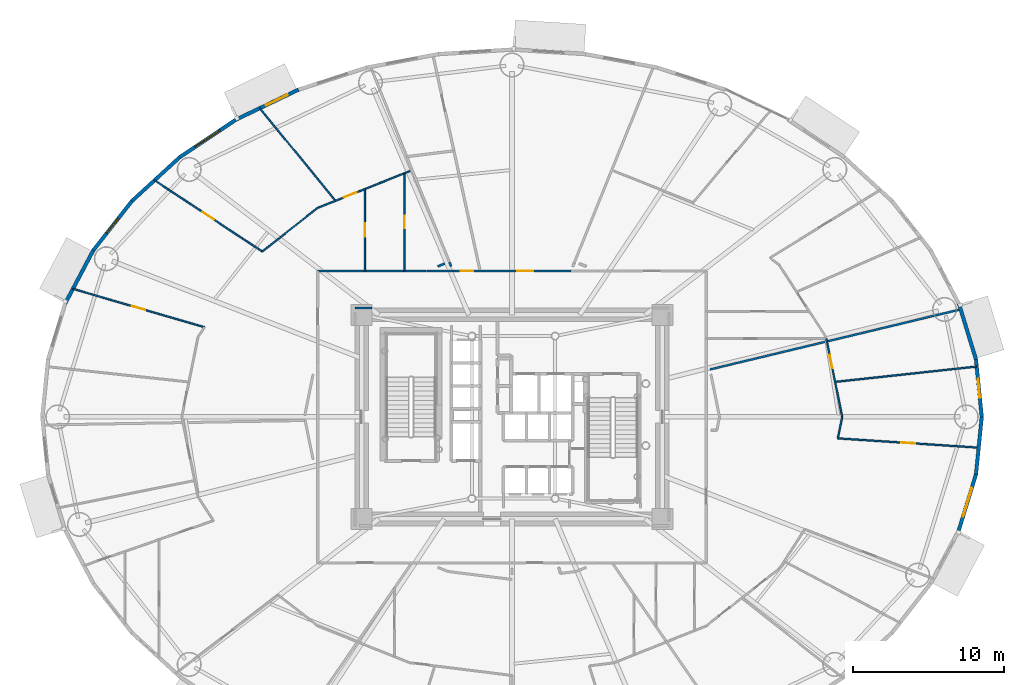
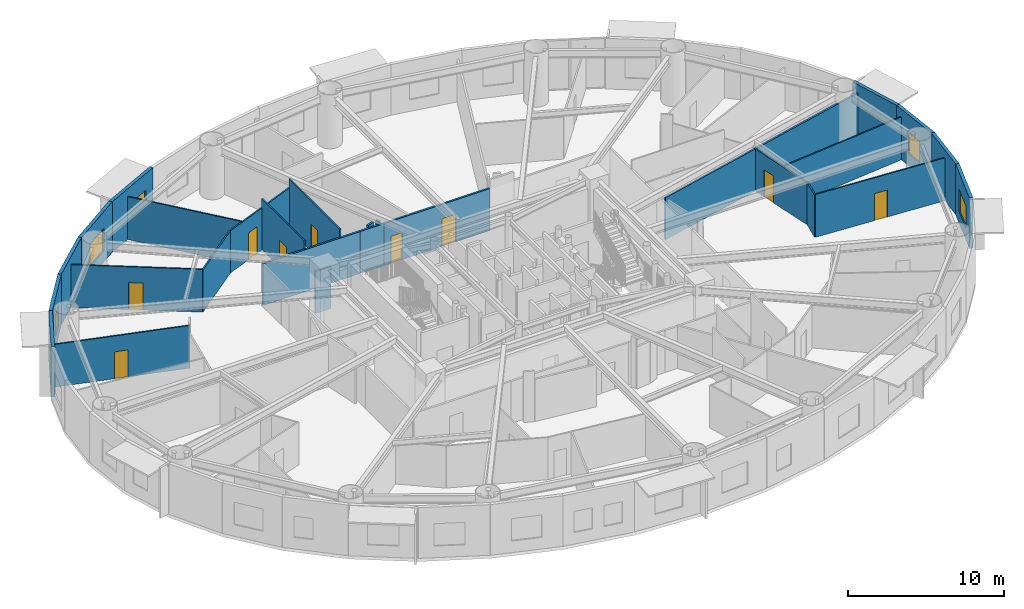
# One storey, part 12 of 21: 27 walls, 9 doors, 5 windows, 14 openings.
"""IFC4 building model written with IfcOpenShell, lengths in metres."""

import ifcopenshell
import ifcopenshell.guid

model = None  # the IFC model being written
_history = None  # IfcOwnerHistory: only IFC2X3 demands one
_inside = {}  # id of a spatial element -> (the spatial element, [elements in it])
_under = {}  # id of a project, library or spatial element -> (it, [spatial elements below it])
_declared = {}  # id of a project -> (the project, [libraries it declares])
_typed = {}  # id of a type object -> (the type object, [elements of that type])
_made_of = {}  # id of a material, layer set ... -> (it, [elements and type objects made of it])


def new_model(schema):
    """Start an empty IFC model of exactly this schema.

    Asked for "IFC4X3", IfcOpenShell would pick the latest addendum, in which some entities
    have other attributes; the version numbers below select the first issue.
    IFC2X3 requires an IfcOwnerHistory on every rooted entity: one is made here for all.
    """
    global model, _history
    if schema == "IFC4X3":
        model = ifcopenshell.file(schema_version=(4, 3, 0, 0))
    else:
        model = ifcopenshell.file(schema=schema)
    _inside.clear()
    _under.clear()
    _declared.clear()
    _typed.clear()
    _made_of.clear()
    _history = None
    if model.schema == "IFC2X3":
        org = make("IfcOrganization", Name="unknown")
        user = make(
            "IfcPersonAndOrganization",
            ThePerson=make("IfcPerson", FamilyName="unknown"),
            TheOrganization=org,
        )
        app = make(
            "IfcApplication",
            ApplicationDeveloper=org,
            Version="unknown",
            ApplicationFullName="unknown",
            ApplicationIdentifier="unknown",
        )
        _history = make(
            "IfcOwnerHistory",
            OwningUser=user,
            OwningApplication=app,
            ChangeAction="ADDED",
            CreationDate=0,
        )
    return model


def make(cls, **values):
    """One entity of the class cls with the attributes given. An attribute that is None is left unset."""
    return model.create_entity(
        cls, **{name: value for name, value in values.items() if value is not None}
    )


def rooted(cls, **values):
    """An entity with a GlobalId (a new one), such as an element, a storey or a relation."""
    return make(cls, GlobalId=ifcopenshell.guid.new(), OwnerHistory=_history, **values)


def si_unit(unit_type, name, prefix=None):
    """IfcSIUnit, for example si_unit("LENGTHUNIT", "METRE", prefix="MILLI")."""
    return make("IfcSIUnit", UnitType=unit_type, Prefix=prefix, Name=name)


def assignment(units):
    """IfcUnitAssignment: the units of a project."""
    return None if units is None else make("IfcUnitAssignment", Units=units)


def point(xyz):
    """IfcCartesianPoint."""
    return None if xyz is None else make("IfcCartesianPoint", Coordinates=xyz)


def direction(xyz):
    """IfcDirection."""
    return None if xyz is None else make("IfcDirection", DirectionRatios=xyz)


def frame(location, z_axis=None, x_axis=None):
    """IfcAxis2Placement3D, a coordinate frame: its origin and axes. An axis left out is left unset."""
    return make(
        "IfcAxis2Placement3D",
        Location=point(location),
        Axis=direction(z_axis),
        RefDirection=direction(x_axis),
    )


def frame_2d(location, x_axis=None):
    """IfcAxis2Placement2D, a coordinate frame in the plane: its origin and x axis."""
    return make(
        "IfcAxis2Placement2D", Location=point(location), RefDirection=direction(x_axis)
    )


def origin():
    """The frame at (0, 0, 0) with its axes left unset."""
    return frame((0.0, 0.0, 0.0))


def origin_2d():
    """The frame at (0, 0) in the plane with its x axis left unset."""
    return frame_2d((0.0, 0.0))


def place(relative_to, where):
    """IfcLocalPlacement: puts the frame where relative to a parent placement (None: the world)."""
    return make(
        "IfcLocalPlacement", PlacementRelTo=relative_to, RelativePlacement=where
    )


def context(
    kind, dimensions, precision=None, world=None, true_north=None, identifier=None
):
    """IfcGeometricRepresentationContext, for example the 3D "Model" context."""
    return make(
        "IfcGeometricRepresentationContext",
        ContextIdentifier=identifier,
        ContextType=kind,
        CoordinateSpaceDimension=dimensions,
        Precision=precision,
        WorldCoordinateSystem=world,
        TrueNorth=true_north,
    )


def subcontext(parent, identifier, kind, view, scale=None):
    """IfcGeometricRepresentationSubContext, for example "Body" below "Model"."""
    return make(
        "IfcGeometricRepresentationSubContext",
        ContextIdentifier=identifier,
        ContextType=kind,
        ParentContext=parent,
        TargetScale=scale,
        TargetView=view,
    )


def project(units=None, contexts=None):
    """IfcProject with its units and contexts."""
    return rooted(
        "IfcProject",
        Name="project",
        RepresentationContexts=contexts,
        UnitsInContext=assignment(units),
    )


def spatial(cls, under=None, at=None, **own):
    """A site, building, storey or space (cls), placed at a placement, below another one or the project."""
    s = rooted(cls, ObjectPlacement=at, **own)
    if under is not None:
        _under.setdefault(under.id(), (under, []))[1].append(s)
    return s


def profile(cls, at=None, kind="AREA", **sizes):
    """A parametric profile (cls). Its sizes go by their IFC names, for example OverallWidth=200.0."""
    return make(cls, ProfileType=kind, Position=at, **sizes)


def rectangle(**sizes):
    """IfcRectangleProfileDef."""
    return profile("IfcRectangleProfileDef", **sizes)


def extrude(swept, where, along, depth):
    """IfcExtrudedAreaSolid: the profile swept, set in the frame where, extruded along a direction by depth."""
    return make(
        "IfcExtrudedAreaSolid",
        SweptArea=swept,
        Position=where,
        ExtrudedDirection=direction(along),
        Depth=depth,
    )


def shape(context_of_items, identifier, shape_type, items):
    """IfcShapeRepresentation: the items that make up one representation, for example the "Body"."""
    return make(
        "IfcShapeRepresentation",
        ContextOfItems=context_of_items,
        RepresentationIdentifier=identifier,
        RepresentationType=shape_type,
        Items=items,
    )


def source(mapping_origin, context_of_items, identifier, shape_type, items):
    """IfcRepresentationMap: a shape defined once, which mapped items show again and again."""
    return make(
        "IfcRepresentationMap",
        MappingOrigin=mapping_origin,
        MappedRepresentation=shape(context_of_items, identifier, shape_type, items),
    )


def transform(
    local_origin,
    x_axis=None,
    y_axis=None,
    z_axis=None,
    scale=None,
    scale2=None,
    scale3=None,
    uniform=True,
):
    """IfcCartesianTransformationOperator3D, or its non-uniform kind. x_axis, y_axis, z_axis: its Axis1, 2, 3."""
    if uniform:
        return make(
            "IfcCartesianTransformationOperator3D",
            Axis1=direction(x_axis),
            Axis2=direction(y_axis),
            LocalOrigin=point(local_origin),
            Scale=scale,
            Axis3=direction(z_axis),
        )
    return make(
        "IfcCartesianTransformationOperator3DnonUniform",
        Axis1=direction(x_axis),
        Axis2=direction(y_axis),
        LocalOrigin=point(local_origin),
        Scale=scale,
        Axis3=direction(z_axis),
        Scale2=scale2,
        Scale3=scale3,
    )


def mapped(mapping_source, mapping_target):
    """IfcMappedItem: shows the shape of a source again, moved by a transform."""
    return make(
        "IfcMappedItem", MappingSource=mapping_source, MappingTarget=mapping_target
    )


def material(Name=None, Category=None):
    """IfcMaterial."""
    return make("IfcMaterial", Name=Name, Category=Category)


def layer(
    of_material, thickness, ventilated=None, Name=None, Category=None, Priority=None
):
    """IfcMaterialLayer: one layer of a wall or slab, of a material (None: an air gap)."""
    return make(
        "IfcMaterialLayer",
        Material=of_material,
        LayerThickness=thickness,
        IsVentilated=ventilated,
        Name=Name,
        Category=Category,
        Priority=Priority,
    )


def layer_set(layers, Name=None):
    """IfcMaterialLayerSet."""
    return make("IfcMaterialLayerSet", MaterialLayers=layers, LayerSetName=Name)


def made_of(thing, what):
    """Note that an element or type object is made of a material, layer set ...; save() writes the relation."""
    if what is not None:
        _made_of.setdefault(what.id(), (what, []))[1].append(thing)
    return thing


def type_object(cls, material=None, **own):
    """A type object (cls), such as IfcWallType, which elements share."""
    return made_of(rooted(cls, **own), material)


def element(
    cls,
    number,
    at=None,
    inside=None,
    cuts=None,
    type_object=None,
    material=None,
    context=None,
    identifier="Body",
    shape_type=None,
    held_by="IfcProductDefinitionShape",
    body=None,
    shapes=None,
    **own,
):
    """One element of the class cls, such as IfcWall. Its Tag is "e" and its number.

    at: its placement. inside: the storey or other place that contains it. cuts: it is an
    opening in that element (IfcRelVoidsElement). A single representation is given by context,
    identifier, shape_type and body (its items); several are given by shapes. held_by: the class
    of the entity that holds the representations. save() writes the other relations.
    """
    e = rooted(cls, Tag="e%d" % number, ObjectPlacement=at, **own)
    if body is not None:
        shapes = [shape(context, identifier, shape_type, body)]
    if shapes is not None:
        e.Representation = make(held_by, Representations=shapes)
    if inside is not None:
        _inside.setdefault(inside.id(), (inside, []))[1].append(e)
    if cuts is not None:
        rooted(
            "IfcRelVoidsElement", RelatingBuildingElement=cuts, RelatedOpeningElement=e
        )
    if type_object is not None:
        _typed.setdefault(type_object.id(), (type_object, []))[1].append(e)
    return made_of(e, material)


def fill(opening, filler):
    """IfcRelFillsElement: the door or window that sits in an opening."""
    return rooted(
        "IfcRelFillsElement",
        RelatingOpeningElement=opening,
        RelatedBuildingElement=filler,
    )


def aggregate(whole, parts):
    """IfcRelAggregates: a whole, such as a stair, and the parts it consists of."""
    return rooted("IfcRelAggregates", RelatingObject=whole, RelatedObjects=parts)


def save(model, path):
    """Write the relations noted so far, then the file.

    IfcRelAggregates (storeys below a building ...), IfcRelContainedInSpatialStructure (elements
    in a storey), IfcRelDefinesByType, IfcRelAssociatesMaterial and IfcRelDeclares: one each for
    every whole, place, type object, material and project.
    """
    for whole, parts in _under.values():
        aggregate(whole, parts)
    for where, things in _inside.values():
        rooted(
            "IfcRelContainedInSpatialStructure",
            RelatedElements=things,
            RelatingStructure=where,
        )
    for kind, things in _typed.values():
        rooted("IfcRelDefinesByType", RelatedObjects=things, RelatingType=kind)
    for what, things in _made_of.values():
        rooted("IfcRelAssociatesMaterial", RelatedObjects=things, RelatingMaterial=what)
    for by, libraries in _declared.values():
        rooted("IfcRelDeclares", RelatingContext=by, RelatedDefinitions=libraries)
    model.write(path)


model = new_model("IFC4")

# Units and contexts
model_context = context("Model", 3, precision=1e-05, world=origin(), true_north=direction((0.0, 1.0)))
body_context = subcontext(model_context, "Body", "Model", "MODEL_VIEW")
ifc_project = project(units=[si_unit("LENGTHUNIT", "METRE"), si_unit("AREAUNIT", "SQUARE_METRE"), si_unit("VOLUMEUNIT", "CUBIC_METRE"), si_unit("PLANEANGLEUNIT", "RADIAN"), si_unit("MASSUNIT", "GRAM", prefix="KILO")], contexts=[model_context])

# Site, building, storey
site_placement = place(None, origin())
site = spatial("IfcSite", under=ifc_project, at=site_placement, CompositionType="ELEMENT")
building_placement = place(site_placement, origin())
building = spatial("IfcBuilding", under=site, at=building_placement, Name="Linh Dai School and Residence Tower", CompositionType="ELEMENT")
storey_placement = place(building_placement, frame((0.0, 0.0, 78.60009765625)))
storey = spatial("IfcBuildingStorey", under=building, at=storey_placement, Name="L18", CompositionType="ELEMENT", Elevation=78.60009765625)

# Wall, opening, window
ifc_material_1 = material(Name="Precast Concrete B45 (C35/45)", Category="concrete")
ifc_layer_1 = layer(ifc_material_1, 0.239990234375)
ifc_layer_set_1 = layer_set([ifc_layer_1], Name="Precast Concrete B45 (C35/45)")
wall_type_1 = type_object("IfcWallType", Name="EW-TC-240", PredefinedType="SOLIDWALL", material=ifc_layer_set_1)
wall_1_placement = place(storey_placement, frame((66.693359375, 30.796875, 0.0), z_axis=(0.0, 0.0, 1.0), x_axis=(0.099997795174, -0.994987658698, 0.0)))
wall_1 = element("IfcWall", 1, at=wall_1_placement, inside=storey, type_object=wall_type_1, Name="L18 Terracotta Exterior Wall 01", PredefinedType="SOLIDWALL", context=body_context, shape_type="SweptSolid", body=[
    extrude(rectangle(XDim=3.81591796875, YDim=0.239990234375, at=frame_2d((1.907958984375, 0.0))), origin(), (0.0, 0.0, 1.0), 3.949951171875),
])
opening_1_placement = place(wall_1_placement, frame((1.282958984375, 0.0, 0.89990234375)))
opening_1 = element("IfcOpeningElement", 2, at=opening_1_placement, cuts=wall_1, Name="Opening W3", PredefinedType="OPENING", context=body_context, shape_type="SweptSolid", body=[
    extrude(rectangle(XDim=1.25, YDim=1.64990234375, at=origin_2d()), frame((0.625, 0.1298828125, 0.824951171875), z_axis=(0.0, -1.0, 0.0), x_axis=(1.0, 0.0, 0.0)), (0.0, 0.0, 1.0), 0.260009765625),
])
ifc_material_2 = material(Name="Double Low-E Insulated Glazing", Category="glass")
window_type_1 = type_object("IfcWindowType", Name="WN-RES-1250x1650", PartitioningType="SINGLE_PANEL", PredefinedType="WINDOW", material=ifc_material_2)
shared_shape_1 = source(origin(), body_context, "Body", "SweptSolid", [
    extrude(rectangle(XDim=1.25, YDim=1.64990234375, at=origin_2d()), frame((0.625, 0.030029296875, 0.824951171875), z_axis=(0.0, -1.0, 0.0), x_axis=(1.0, 0.0, 0.0)), (0.0, 0.0, 1.0), 0.06005859375),
])
window_1_placement = place(opening_1_placement, origin())
window_1 = element("IfcWindow", 3, at=window_1_placement, inside=storey, type_object=window_type_1, Name="L18 Dwelling Window U1804-BD3", OverallHeight=1.64990234375, OverallWidth=1.25, PartitioningType="SINGLE_PANEL", PredefinedType="WINDOW", context=body_context, shape_type="MappedRepresentation", body=[
    mapped(shared_shape_1, transform((0.0, 0.0, 0.0), x_axis=(1.0, 0.0, 0.0), y_axis=(0.0, 1.0, 0.0), z_axis=(0.0, 0.0, 1.0), scale=1.0)),
])
fill(opening_1, window_1)

# Wall
wall_2_placement = place(storey_placement, frame((65.5576171875, 34.50146484375, 0.0), z_axis=(0.0, 0.0, 1.0), x_axis=(0.293111631758, -0.956078224482, 0.0)))
element("IfcWall", 4, at=wall_2_placement, inside=storey, type_object=wall_type_1, Name="L18 Terracotta Exterior Wall 02", PredefinedType="SOLIDWALL", context=body_context, shape_type="SweptSolid", body=[
    extrude(rectangle(XDim=3.874755859375, YDim=0.239990234375, at=frame_2d((1.9375, 0.0))), origin(), (0.0, 0.0, 1.0), 3.949951171875),
])

# Wall, opening, window
wall_3_placement = place(storey_placement, frame((17.722900390625, 46.65576171875, 0.0), z_axis=(0.0, 0.0, 1.0), x_axis=(0.901601503137, 0.432567601123, 0.0)))
wall_3 = element("IfcWall", 5, at=wall_3_placement, inside=storey, type_object=wall_type_1, Name="L18 Terracotta Exterior Wall 14", PredefinedType="SOLIDWALL", context=body_context, shape_type="SweptSolid", body=[
    extrude(rectangle(XDim=4.61279296875, YDim=0.239990234375, at=frame_2d((2.306396484375, 0.0))), origin(), (0.0, 0.0, 1.0), 3.949951171875),
])
opening_2_placement = place(wall_3_placement, frame((2.211669921875, 0.0, 0.89990234375)))
opening_2 = element("IfcOpeningElement", 6, at=opening_2_placement, cuts=wall_3, Name="Opening W2", PredefinedType="OPENING", context=body_context, shape_type="SweptSolid", body=[
    extrude(rectangle(XDim=1.60009765625, YDim=1.75, at=origin_2d()), frame((0.800048828125, 0.1298828125, 0.875), z_axis=(0.0, -1.0, 0.0), x_axis=(1.0, 0.0, 0.0)), (0.0, 0.0, 1.0), 0.260009765625),
])
window_type_2 = type_object("IfcWindowType", Name="WN-RES-1600x1750", PartitioningType="DOUBLE_PANEL_VERTICAL", PredefinedType="WINDOW", material=ifc_material_2)
shared_shape_2 = source(origin(), body_context, "Body", "SweptSolid", [
    extrude(rectangle(XDim=1.60009765625, YDim=1.75, at=origin_2d()), frame((0.800048828125, 0.030029296875, 0.875), z_axis=(0.0, -1.0, 0.0), x_axis=(1.0, 0.0, 0.0)), (0.0, 0.0, 1.0), 0.06005859375),
])
window_2_placement = place(opening_2_placement, origin())
window_2 = element("IfcWindow", 7, at=window_2_placement, inside=storey, type_object=window_type_2, Name="L18 Exterior Window 14.1", OverallHeight=1.75, OverallWidth=1.60009765625, PartitioningType="DOUBLE_PANEL_VERTICAL", PredefinedType="WINDOW", context=body_context, shape_type="MappedRepresentation", body=[
    mapped(shared_shape_2, transform((0.0, 0.0, 0.0), x_axis=(1.0, 0.0, 0.0), y_axis=(0.0, 1.0, 0.0), z_axis=(0.0, 0.0, 1.0), scale=1.0)),
])
fill(opening_2, window_2)

wall_4_placement = place(storey_placement, frame((14.015380859375, 44.17626953125, 0.0), z_axis=(0.0, 0.0, 1.0), x_axis=(0.831240982525, 0.555912249343, 0.0)))
wall_4 = element("IfcWall", 8, at=wall_4_placement, inside=storey, type_object=wall_type_1, Name="L18 Terracotta Exterior Wall 15", PredefinedType="SOLIDWALL", context=body_context, shape_type="SweptSolid", body=[
    extrude(rectangle(XDim=4.460205078125, YDim=0.239990234375, at=frame_2d((2.22998046875, 0.0))), origin(), (0.0, 0.0, 1.0), 3.949951171875),
])
opening_3_placement = place(wall_4_placement, frame((1.230224609375, 0.0, 0.89990234375)))
opening_3 = element("IfcOpeningElement", 9, at=opening_3_placement, cuts=wall_4, Name="Opening W1", PredefinedType="OPENING", context=body_context, shape_type="SweptSolid", body=[
    extrude(rectangle(XDim=2.0, YDim=1.75, at=origin_2d()), frame((1.0, 0.1298828125, 0.875), z_axis=(0.0, -1.0, 0.0), x_axis=(1.0, 0.0, 0.0)), (0.0, 0.0, 1.0), 0.260009765625),
])
window_type_3 = type_object("IfcWindowType", Name="WN-RES-2000x1750", PartitioningType="DOUBLE_PANEL_VERTICAL", PredefinedType="WINDOW", material=ifc_material_2)
shared_shape_3 = source(origin(), body_context, "Body", "SweptSolid", [
    extrude(rectangle(XDim=2.0, YDim=1.75, at=origin_2d()), frame((1.0, 0.030029296875, 0.875), z_axis=(0.0, -1.0, 0.0), x_axis=(1.0, 0.0, 0.0)), (0.0, 0.0, 1.0), 0.06005859375),
])
window_3_placement = place(opening_3_placement, origin())
window_3 = element("IfcWindow", 10, at=window_3_placement, inside=storey, type_object=window_type_3, Name="L18 Exterior Window 15.1", OverallHeight=1.75, OverallWidth=2.0, PartitioningType="DOUBLE_PANEL_VERTICAL", PredefinedType="WINDOW", context=body_context, shape_type="MappedRepresentation", body=[
    mapped(shared_shape_3, transform((0.0, 0.0, 0.0), x_axis=(1.0, 0.0, 0.0), y_axis=(0.0, 1.0, 0.0), z_axis=(0.0, 0.0, 1.0), scale=1.0)),
])
fill(opening_3, window_3)

# Wall
wall_5_placement = place(storey_placement, frame((10.850341796875, 41.274658203125, 0.0), z_axis=(0.0, 0.0, 1.0), x_axis=(0.737116376281, 0.67576582321, 0.0)))
element("IfcWall", 11, at=wall_5_placement, inside=storey, type_object=wall_type_1, Name="L18 Terracotta Exterior Wall 16", PredefinedType="SOLIDWALL", context=body_context, shape_type="SweptSolid", body=[
    extrude(rectangle(XDim=4.293701171875, YDim=0.239990234375, at=frame_2d((2.14697265625, 0.0))), origin(), (0.0, 0.0, 1.0), 3.949951171875),
])

# Wall, opening, window
wall_6_placement = place(storey_placement, frame((8.305419921875, 38.022705078125, 0.0), z_axis=(0.0, 0.0, 1.0), x_axis=(0.616295508253, 0.787514981767, 0.0)))
wall_6 = element("IfcWall", 12, at=wall_6_placement, inside=storey, type_object=wall_type_1, Name="L18 Terracotta Exterior Wall 17", PredefinedType="SOLIDWALL", context=body_context, shape_type="SweptSolid", body=[
    extrude(rectangle(XDim=4.12939453125, YDim=0.239990234375, at=frame_2d((2.064697265625, 0.0))), origin(), (0.0, 0.0, 1.0), 3.949951171875),
])
opening_4_placement = place(wall_6_placement, frame((1.439697265625, 0.0, 0.89990234375)))
opening_4 = element("IfcOpeningElement", 13, at=opening_4_placement, cuts=wall_6, Name="Opening W3", PredefinedType="OPENING", context=body_context, shape_type="SweptSolid", body=[
    extrude(rectangle(XDim=1.25, YDim=1.64990234375, at=origin_2d()), frame((0.625, 0.1298828125, 0.824951171875), z_axis=(0.0, -1.0, 0.0), x_axis=(1.0, 0.0, 0.0)), (0.0, 0.0, 1.0), 0.260009765625),
])
window_4_placement = place(opening_4_placement, origin())
window_4 = element("IfcWindow", 14, at=window_4_placement, inside=storey, type_object=window_type_1, Name="L18 Dwelling Window U1801-LIV", OverallHeight=1.64990234375, OverallWidth=1.25, PartitioningType="SINGLE_PANEL", PredefinedType="WINDOW", context=body_context, shape_type="MappedRepresentation", body=[
    mapped(shared_shape_1, transform((0.0, 0.0, 0.0), x_axis=(1.0, 0.0, 0.0), y_axis=(0.0, 1.0, 0.0), z_axis=(0.0, 0.0, 1.0), scale=1.0)),
])
fill(opening_4, window_4)

# Wall
wall_7_placement = place(storey_placement, frame((6.4423828125, 34.50146484375, 0.0), z_axis=(0.0, 0.0, 1.0), x_axis=(0.467662443071, 0.883907144072, 0.0)))
element("IfcWall", 15, at=wall_7_placement, inside=storey, type_object=wall_type_1, Name="L18 Terracotta Exterior Wall 18", PredefinedType="SOLIDWALL", context=body_context, shape_type="SweptSolid", body=[
    extrude(rectangle(XDim=3.983642578125, YDim=0.239990234375, at=frame_2d((1.99169921875, 0.0))), origin(), (0.0, 0.0, 1.0), 3.949951171875),
])

# Wall, opening, window
wall_8_placement = place(storey_placement, frame((66.693359375, 23.203125, 0.0), z_axis=(0.0, 0.0, 1.0), x_axis=(-0.293111631758, -0.956078224482, 0.0)))
wall_8 = element("IfcWall", 16, at=wall_8_placement, inside=storey, type_object=wall_type_1, Name="L18 Terracotta Exterior Wall 39", PredefinedType="SOLIDWALL", context=body_context, shape_type="SweptSolid", body=[
    extrude(rectangle(XDim=3.874755859375, YDim=0.239990234375, at=frame_2d((1.9375, 0.0))), origin(), (0.0, 0.0, 1.0), 3.949951171875),
])
opening_5_placement = place(wall_8_placement, frame((0.9375, 0.0, 0.89990234375)))
opening_5 = element("IfcOpeningElement", 17, at=opening_5_placement, cuts=wall_8, Name="Opening W1", PredefinedType="OPENING", context=body_context, shape_type="SweptSolid", body=[
    extrude(rectangle(XDim=2.0, YDim=1.75, at=origin_2d()), frame((1.0, 0.1298828125, 0.875), z_axis=(0.0, -1.0, 0.0), x_axis=(1.0, 0.0, 0.0)), (0.0, 0.0, 1.0), 0.260009765625),
])
window_5_placement = place(opening_5_placement, origin())
window_5 = element("IfcWindow", 18, at=window_5_placement, inside=storey, type_object=window_type_3, Name="L18 Exterior Window 39.1", OverallHeight=1.75, OverallWidth=2.0, PartitioningType="DOUBLE_PANEL_VERTICAL", PredefinedType="WINDOW", context=body_context, shape_type="MappedRepresentation", body=[
    mapped(shared_shape_3, transform((0.0, 0.0, 0.0), x_axis=(1.0, 0.0, 0.0), y_axis=(0.0, 1.0, 0.0), z_axis=(0.0, 0.0, 1.0), scale=1.0)),
])
fill(opening_5, window_5)

# Walls
wall_9_placement = place(storey_placement, frame((67.074951171875, 27.0, 0.0), z_axis=(0.0, 0.0, 1.0), x_axis=(-0.099997795174, -0.994987658698, 0.0)))
element("IfcWall", 19, at=wall_9_placement, inside=storey, type_object=wall_type_1, Name="L18 Terracotta Exterior Wall 40", PredefinedType="SOLIDWALL", context=body_context, shape_type="SweptSolid", body=[
    extrude(rectangle(XDim=3.81591796875, YDim=0.239990234375, at=frame_2d((1.907958984375, 0.0))), origin(), (0.0, 0.0, 1.0), 3.949951171875),
])
ifc_material_3 = material(Name="Autoclaved Aerated Concrete Blockwork", Category="masonry")
ifc_layer_2 = layer(ifc_material_3, 0.135009765625)
ifc_layer_set_2 = layer_set([ifc_layer_2], Name="Autoclaved Aerated Concrete Blockwork")
wall_type_2 = type_object("IfcWallType", Name="IW-CORR-135-EI90", PredefinedType="PARTITIONING", material=ifc_layer_set_2)
wall_10_placement = place(storey_placement, frame((23.14990234375, 36.64990234375, 0.0), z_axis=(0.0, 0.0, 1.0), x_axis=(1.0, 0.0, 0.0)))
element("IfcWall", 20, at=wall_10_placement, inside=storey, type_object=wall_type_2, Name="L18 Interior Partition Wall 021", PredefinedType="PARTITIONING", context=body_context, shape_type="SweptSolid", body=[
    extrude(rectangle(XDim=7.17138671875, YDim=0.135009765625, at=frame_2d((3.585693359375, 0.0))), origin(), (0.0, 0.0, 1.0), 3.284912109375),
])

# Wall, openings, doors
wall_11_placement = place(storey_placement, frame((32.10107421875, 36.64990234375, 0.0), z_axis=(0.0, 0.0, 1.0), x_axis=(1.0, 0.0, 0.0)))
wall_11 = element("IfcWall", 21, at=wall_11_placement, inside=storey, type_object=wall_type_2, Name="L18 Interior Partition Wall 040", PredefinedType="PARTITIONING", context=body_context, shape_type="SweptSolid", body=[
    extrude(rectangle(XDim=7.7978515625, YDim=0.135009765625, at=frame_2d((3.89892578125, 0.0))), origin(), (0.0, 0.0, 1.0), 3.284912109375),
])
opening_6_placement = place(wall_11_placement, frame((4.24951171875, 0.0, 0.0)))
opening_6 = element("IfcOpeningElement", 22, at=opening_6_placement, cuts=wall_11, Name="Opening D04", PredefinedType="OPENING", context=body_context, shape_type="SweptSolid", body=[
    extrude(rectangle(XDim=1.050048828125, YDim=2.14990234375, at=origin_2d()), frame((0.52490234375, 0.07763671875, 1.074951171875), z_axis=(0.0, -1.0, 0.0), x_axis=(1.0, 0.0, 0.0)), (0.0, 0.0, 1.0), 0.155029296875),
])
opening_7_placement = place(wall_11_placement, frame((0.505615234375, 0.0, 0.0)))
opening_7 = element("IfcOpeningElement", 23, at=opening_7_placement, cuts=wall_11, Name="Opening D06", PredefinedType="OPENING", context=body_context, shape_type="SweptSolid", body=[
    extrude(rectangle(XDim=0.820068359375, YDim=2.10009765625, at=origin_2d()), frame((0.41015625, 0.07763671875, 1.050048828125), z_axis=(0.0, -1.0, 0.0), x_axis=(1.0, 0.0, 0.0)), (0.0, 0.0, 1.0), 0.155029296875),
])
ifc_material_4 = material(Name="Acoustic Vision-Panel Timber Classroom Door", Category="wood")
door_type_1 = type_object("IfcDoorType", Name="DR-SCH-1050x2150-FD60S", OperationType="NOTDEFINED", PredefinedType="DOOR", material=ifc_material_4)
shared_shape_4 = source(origin(), body_context, "Body", "SweptSolid", [
    extrude(rectangle(XDim=1.050048828125, YDim=2.14990234375, at=origin_2d()), frame((0.52490234375, 0.02490234375, 1.074951171875), z_axis=(0.0, -1.0, 0.0), x_axis=(1.0, 0.0, 0.0)), (0.0, 0.0, 1.0), 0.050048828125),
])
door_1_placement = place(opening_6_placement, origin())
door_1 = element("IfcDoor", 24, at=door_1_placement, inside=storey, type_object=door_type_1, Name="L18 Resident Reading Library Door", OperationType="SINGLE_SWING_RIGHT", OverallHeight=2.14990234375, OverallWidth=1.050048828125, PredefinedType="DOOR", context=body_context, shape_type="MappedRepresentation", body=[
    mapped(shared_shape_4, transform((0.0, 0.0, 0.0), x_axis=(1.0, 0.0, 0.0), y_axis=(0.0, 1.0, 0.0), z_axis=(0.0, 0.0, 1.0), scale=1.0)),
])
fill(opening_6, door_1)
ifc_material_5 = material(Name="Moisture-Resistant Timber Bathroom Door", Category="wood")
door_type_2 = type_object("IfcDoorType", Name="DR-WET-820x2100", OperationType="NOTDEFINED", PredefinedType="DOOR", material=ifc_material_5)
shared_shape_5 = source(origin(), body_context, "Body", "SweptSolid", [
    extrude(rectangle(XDim=0.820068359375, YDim=2.10009765625, at=origin_2d()), frame((0.41015625, 0.02490234375, 1.050048828125), z_axis=(0.0, -1.0, 0.0), x_axis=(1.0, 0.0, 0.0)), (0.0, 0.0, 1.0), 0.050048828125),
])
door_2_placement = place(opening_7_placement, origin())
door_2 = element("IfcDoor", 25, at=door_2_placement, inside=storey, type_object=door_type_2, Name="L18 Amenity Accessible WC Door", OperationType="SINGLE_SWING_LEFT", OverallHeight=2.10009765625, OverallWidth=0.820068359375, PredefinedType="DOOR", context=body_context, shape_type="MappedRepresentation", body=[
    mapped(shared_shape_5, transform((0.0, 0.0, 0.0), x_axis=(1.0, 0.0, 0.0), y_axis=(0.0, 1.0, 0.0), z_axis=(0.0, 0.0, 1.0), scale=1.0)),
])
fill(opening_7, door_2)

# Walls
wall_12_placement = place(storey_placement, frame((49.09326171875, 30.13818359375, 0.0), z_axis=(0.0, 0.0, 1.0), x_axis=(0.972454817416, 0.233091458627, 0.0)))
element("IfcWall", 26, at=wall_12_placement, inside=storey, type_object=wall_type_2, Name="L18 Interior Partition Wall 087", PredefinedType="PARTITIONING", context=body_context, shape_type="SweptSolid", body=[
    extrude(rectangle(XDim=17.05810546875, YDim=0.135009765625, at=frame_2d((8.529052734375, 0.0))), origin(), (0.0, 0.0, 1.0), 3.284912109375),
])
wall_13_placement = place(storey_placement, frame((30.331298828125, 36.64990234375, 0.0), z_axis=(0.0, 0.0, 1.0), x_axis=(1.0, 0.0, 0.0)))
element("IfcWall", 27, at=wall_13_placement, inside=storey, type_object=wall_type_2, Name="L18 Interior Partition Wall 110", PredefinedType="PARTITIONING", context=body_context, shape_type="SweptSolid", body=[
    extrude(rectangle(XDim=1.759765625, YDim=0.135009765625, at=frame_2d((0.8798828125, 0.0))), origin(), (0.0, 0.0, 1.0), 3.284912109375),
])
wall_14_placement = place(storey_placement, frame((26.739990234375, 34.199951171875, 0.0), z_axis=(0.0, 0.0, 1.0), x_axis=(-1.0, 0.0, 0.0)))
element("IfcWall", 28, at=wall_14_placement, inside=storey, type_object=wall_type_2, Name="L18 Interior Partition Wall 117", PredefinedType="PARTITIONING", context=body_context, shape_type="SweptSolid", body=[
    extrude(rectangle(XDim=1.139892578125, YDim=0.135009765625, at=frame_2d((0.56982421875, 0.0))), origin(), (0.0, 0.0, 1.0), 3.284912109375),
])
ifc_layer_3 = layer(ifc_material_3, 0.14990234375)
ifc_layer_set_3 = layer_set([ifc_layer_3], Name="Autoclaved Aerated Concrete Blockwork")
wall_type_3 = type_object("IfcWallType", Name="IW-SCH-150-EI60", PredefinedType="PARTITIONING", material=ifc_layer_set_3)
wall_15_placement = place(storey_placement, frame((31.976806640625, 36.95751953125, 0.0), z_axis=(0.0, 0.0, 1.0), x_axis=(-0.374574137078, 0.927196967118, 0.0)))
element("IfcWall", 29, at=wall_15_placement, inside=storey, type_object=wall_type_3, Name="L18 Interior Partition Wall 125", PredefinedType="PARTITIONING", context=body_context, shape_type="SweptSolid", body=[
    extrude(rectangle(XDim=0.290771484375, YDim=0.14990234375, at=frame_2d((0.1455078125, 0.0))), origin(), (0.0, 0.0, 1.0), 3.284912109375),
])
wall_16_placement = place(storey_placement, frame((31.5498046875, 37.14013671875, 0.0), z_axis=(0.0, 0.0, 1.0), x_axis=(-0.92881793224, -0.370536433768, 0.0)))
element("IfcWall", 30, at=wall_16_placement, inside=storey, type_object=wall_type_3, Name="L18 Interior Partition Wall 127", PredefinedType="PARTITIONING", context=body_context, shape_type="SweptSolid", body=[
    extrude(rectangle(XDim=0.492919921875, YDim=0.14990234375, at=frame_2d((0.24658203125, 0.0))), origin(), (0.0, 0.0, 1.0), 3.284912109375),
])

# Wall, opening, door
ifc_material_6 = material(Name="Gypsum Plasterboard Acoustic Stud Partition", Category="masonry")
ifc_layer_4 = layer(ifc_material_6, 0.10009765625)
ifc_layer_set_4 = layer_set([ifc_layer_4], Name="Gypsum Plasterboard Acoustic Stud Partition")
wall_type_4 = type_object("IfcWallType", Name="IW-UNIT-100", PredefinedType="PARTITIONING", material=ifc_layer_set_4)
wall_17_placement = place(storey_placement, frame((6.95068359375, 35.472900390625, 0.0), z_axis=(0.0, 0.0, 1.0), x_axis=(0.959994871391, -0.280017583204, 0.0)))
wall_17 = element("IfcWall", 31, at=wall_17_placement, inside=storey, type_object=wall_type_4, Name="L18 Interior Partition Wall 004", PredefinedType="PARTITIONING", context=body_context, shape_type="SweptSolid", body=[
    extrude(rectangle(XDim=9.06396484375, YDim=0.10009765625, at=frame_2d((4.531982421875, 0.0))), origin(), (0.0, 0.0, 1.0), 3.3349609375),
])
opening_8_placement = place(wall_17_placement, frame((4.08203125, 0.0, 0.0)))
opening_8 = element("IfcOpeningElement", 32, at=opening_8_placement, cuts=wall_17, Name="Opening D05", PredefinedType="OPENING", context=body_context, shape_type="SweptSolid", body=[
    extrude(rectangle(XDim=0.89990234375, YDim=2.10009765625, at=origin_2d()), frame((0.449951171875, 0.06005859375, 1.050048828125), z_axis=(0.0, -1.0, 0.0), x_axis=(1.0, 0.0, 0.0)), (0.0, 0.0, 1.0), 0.1201171875),
])
ifc_material_7 = material(Name="Engineered Timber Internal Door", Category="wood")
door_type_3 = type_object("IfcDoorType", Name="DR-INT-900x2100", OperationType="NOTDEFINED", PredefinedType="DOOR", material=ifc_material_7)
shared_shape_6 = source(origin(), body_context, "Body", "SweptSolid", [
    extrude(rectangle(XDim=0.89990234375, YDim=2.10009765625, at=origin_2d()), frame((0.449951171875, 0.02490234375, 1.050048828125), z_axis=(0.0, -1.0, 0.0), x_axis=(1.0, 0.0, 0.0)), (0.0, 0.0, 1.0), 0.050048828125),
])
door_3_placement = place(opening_8_placement, origin())
door_3 = element("IfcDoor", 33, at=door_3_placement, inside=storey, type_object=door_type_3, Name="L18 Apartment U1801 Principal Bedroom 3 Door", OperationType="SINGLE_SWING_RIGHT", OverallHeight=2.10009765625, OverallWidth=0.89990234375, PredefinedType="DOOR", context=body_context, shape_type="MappedRepresentation", body=[
    mapped(shared_shape_6, transform((0.0, 0.0, 0.0), x_axis=(1.0, 0.0, 0.0), y_axis=(0.0, 1.0, 0.0), z_axis=(0.0, 0.0, 1.0), scale=1.0)),
])
fill(opening_8, door_3)

wall_18_placement = place(storey_placement, frame((12.35107421875, 42.6572265625, 0.0), z_axis=(0.0, 0.0, 1.0), x_axis=(0.833801361147, -0.552064570633, 0.0)))
wall_18 = element("IfcWall", 34, at=wall_18_placement, inside=storey, type_object=wall_type_4, Name="L18 Interior Partition Wall 007", PredefinedType="PARTITIONING", context=body_context, shape_type="SweptSolid", body=[
    extrude(rectangle(XDim=8.5380859375, YDim=0.10009765625, at=frame_2d((4.26904296875, 0.0))), origin(), (0.0, 0.0, 1.0), 3.3349609375),
])
opening_9_placement = place(wall_18_placement, frame((3.819091796875, 0.0, 0.0)))
opening_9 = element("IfcOpeningElement", 35, at=opening_9_placement, cuts=wall_18, Name="Opening D05", PredefinedType="OPENING", context=body_context, shape_type="SweptSolid", body=[
    extrude(rectangle(XDim=0.89990234375, YDim=2.10009765625, at=origin_2d()), frame((0.449951171875, 0.06005859375, 1.050048828125), z_axis=(0.0, -1.0, 0.0), x_axis=(1.0, 0.0, 0.0)), (0.0, 0.0, 1.0), 0.1201171875),
])
door_4_placement = place(opening_9_placement, origin())
door_4 = element("IfcDoor", 36, at=door_4_placement, inside=storey, type_object=door_type_3, Name="L18 Apartment U1801 Principal Bedroom 2 Door", OperationType="SINGLE_SWING_LEFT", OverallHeight=2.10009765625, OverallWidth=0.89990234375, PredefinedType="DOOR", context=body_context, shape_type="MappedRepresentation", body=[
    mapped(shared_shape_6, transform((0.0, 0.0, 0.0), x_axis=(1.0, 0.0, 0.0), y_axis=(0.0, 1.0, 0.0), z_axis=(0.0, 0.0, 1.0), scale=1.0)),
])
fill(opening_9, door_4)

# Walls
wall_19_placement = place(storey_placement, frame((19.314453125, 47.4248046875, 0.0), z_axis=(0.0, 0.0, 1.0), x_axis=(0.63263945268, -0.774446462264, 0.0)))
element("IfcWall", 37, at=wall_19_placement, inside=storey, type_object=wall_type_4, Name="L18 Interior Partition Wall 014", PredefinedType="PARTITIONING", context=body_context, shape_type="SweptSolid", body=[
    extrude(rectangle(XDim=7.91259765625, YDim=0.10009765625, at=frame_2d((3.956298828125, 0.0))), origin(), (0.0, 0.0, 1.0), 3.3349609375),
])
wall_20_placement = place(storey_placement, frame((19.47021484375, 37.943603515625, 0.0), z_axis=(0.0, 0.0, 1.0), x_axis=(0.787352286351, 0.616503347256, 0.0)))
element("IfcWall", 38, at=wall_20_placement, inside=storey, type_object=wall_type_4, Name="L18 Interior Partition Wall 015", PredefinedType="PARTITIONING", context=body_context, shape_type="SweptSolid", body=[
    extrude(rectangle(XDim=4.68994140625, YDim=0.10009765625, at=frame_2d((2.344970703125, 0.0))), origin(), (0.0, 0.0, 1.0), 3.284912109375),
])

# Wall, opening, door
wall_21_placement = place(storey_placement, frame((23.162841796875, 40.8349609375, 0.0), z_axis=(0.0, 0.0, 1.0), x_axis=(0.928799979038, 0.370581433613, 0.0)))
wall_21 = element("IfcWall", 39, at=wall_21_placement, inside=storey, type_object=wall_type_4, Name="L18 Interior Partition Wall 023", PredefinedType="PARTITIONING", context=body_context, shape_type="SweptSolid", body=[
    extrude(rectangle(XDim=6.55517578125, YDim=0.10009765625, at=frame_2d((3.277587890625, 0.0))), origin(), (0.0, 0.0, 1.0), 3.284912109375),
])
opening_10_placement = place(wall_21_placement, frame((1.84716796875, 0.0, 0.0)))
opening_10 = element("IfcOpeningElement", 40, at=opening_10_placement, cuts=wall_21, Name="Opening D05", PredefinedType="OPENING", context=body_context, shape_type="SweptSolid", body=[
    extrude(rectangle(XDim=0.89990234375, YDim=2.10009765625, at=origin_2d()), frame((0.449951171875, 0.06005859375, 1.050048828125), z_axis=(0.0, -1.0, 0.0), x_axis=(1.0, 0.0, 0.0)), (0.0, 0.0, 1.0), 0.1201171875),
])
door_5_placement = place(opening_10_placement, origin())
door_5 = element("IfcDoor", 41, at=door_5_placement, inside=storey, type_object=door_type_3, Name="L18 Apartment U1801 Principal Bedroom 1 Door", OperationType="SINGLE_SWING_RIGHT", OverallHeight=2.10009765625, OverallWidth=0.89990234375, PredefinedType="DOOR", context=body_context, shape_type="MappedRepresentation", body=[
    mapped(shared_shape_6, transform((0.0, 0.0, 0.0), x_axis=(1.0, 0.0, 0.0), y_axis=(0.0, 1.0, 0.0), z_axis=(0.0, 0.0, 1.0), scale=1.0)),
])
fill(opening_10, door_5)

wall_22_placement = place(storey_placement, frame((26.2724609375, 36.64990234375, 0.0), z_axis=(0.0, 0.0, 1.0), x_axis=(0.0, 1.0, 0.0)))
wall_22 = element("IfcWall", 42, at=wall_22_placement, inside=storey, type_object=wall_type_4, Name="L18 Interior Partition Wall 024", PredefinedType="PARTITIONING", context=body_context, shape_type="SweptSolid", body=[
    extrude(rectangle(XDim=5.42578125, YDim=0.10009765625, at=frame_2d((2.712890625, 0.0))), origin(), (0.0, 0.0, 1.0), 3.949951171875),
])
opening_11_placement = place(wall_22_placement, frame((2.2626953125, 0.0, 0.0)))
opening_11 = element("IfcOpeningElement", 43, at=opening_11_placement, cuts=wall_22, Name="Opening D05", PredefinedType="OPENING", context=body_context, shape_type="SweptSolid", body=[
    extrude(rectangle(XDim=0.89990234375, YDim=2.10009765625, at=origin_2d()), frame((0.449951171875, 0.06005859375, 1.050048828125), z_axis=(0.0, -1.0, 0.0), x_axis=(1.0, 0.0, 0.0)), (0.0, 0.0, 1.0), 0.1201171875),
])
door_6_placement = place(opening_11_placement, origin())
door_6 = element("IfcDoor", 44, at=door_6_placement, inside=storey, type_object=door_type_3, Name="L18 Apartment U1801 Kitchen Door", OperationType="SINGLE_SWING_RIGHT", OverallHeight=2.10009765625, OverallWidth=0.89990234375, PredefinedType="DOOR", context=body_context, shape_type="MappedRepresentation", body=[
    mapped(shared_shape_6, transform((0.0, 0.0, 0.0), x_axis=(1.0, 0.0, 0.0), y_axis=(0.0, 1.0, 0.0), z_axis=(0.0, 0.0, 1.0), scale=1.0)),
])
fill(opening_11, door_6)

wall_23_placement = place(storey_placement, frame((28.889892578125, 36.64990234375, 0.0), z_axis=(0.0, 0.0, 1.0), x_axis=(0.0, 1.0, 0.0)))
wall_23 = element("IfcWall", 45, at=wall_23_placement, inside=storey, type_object=wall_type_4, Name="L18 Interior Partition Wall 029", PredefinedType="PARTITIONING", context=body_context, shape_type="SweptSolid", body=[
    extrude(rectangle(XDim=6.469970703125, YDim=0.10009765625, at=frame_2d((3.23486328125, 0.0))), origin(), (0.0, 0.0, 1.0), 3.949951171875),
])
opening_12_placement = place(wall_23_placement, frame((2.824951171875, 0.0, 0.0)))
opening_12 = element("IfcOpeningElement", 46, at=opening_12_placement, cuts=wall_23, Name="Opening D06", PredefinedType="OPENING", context=body_context, shape_type="SweptSolid", body=[
    extrude(rectangle(XDim=0.820068359375, YDim=2.10009765625, at=origin_2d()), frame((0.41015625, 0.06005859375, 1.050048828125), z_axis=(0.0, -1.0, 0.0), x_axis=(1.0, 0.0, 0.0)), (0.0, 0.0, 1.0), 0.1201171875),
])
door_7_placement = place(opening_12_placement, origin())
door_7 = element("IfcDoor", 47, at=door_7_placement, inside=storey, type_object=door_type_2, Name="L18 Apartment U1801 Bathroom 1 Door", OperationType="SINGLE_SWING_LEFT", OverallHeight=2.10009765625, OverallWidth=0.820068359375, PredefinedType="DOOR", context=body_context, shape_type="MappedRepresentation", body=[
    mapped(shared_shape_5, transform((0.0, 0.0, 0.0), x_axis=(1.0, 0.0, 0.0), y_axis=(0.0, 1.0, 0.0), z_axis=(0.0, 0.0, 1.0), scale=1.0)),
])
fill(opening_12, door_7)

wall_24_placement = place(storey_placement, frame((56.792724609375, 32.177490234375, 0.0), z_axis=(0.0, 0.0, 1.0), x_axis=(0.198320904187, -0.980137142936, 0.0)))
wall_24 = element("IfcWall", 48, at=wall_24_placement, inside=storey, type_object=wall_type_4, Name="L18 Interior Partition Wall 096", PredefinedType="PARTITIONING", context=body_context, shape_type="SweptSolid", body=[
    extrude(rectangle(XDim=5.280029296875, YDim=0.10009765625, at=frame_2d((2.64013671875, 0.0))), origin(), (0.0, 0.0, 1.0), 3.284912109375),
])
opening_13_placement = place(wall_24_placement, frame((1.10400390625, 0.0, 0.0)))
opening_13 = element("IfcOpeningElement", 49, at=opening_13_placement, cuts=wall_24, Name="Opening D05", PredefinedType="OPENING", context=body_context, shape_type="SweptSolid", body=[
    extrude(rectangle(XDim=0.89990234375, YDim=2.10009765625, at=origin_2d()), frame((0.449951171875, 0.06005859375, 1.050048828125), z_axis=(0.0, -1.0, 0.0), x_axis=(1.0, 0.0, 0.0)), (0.0, 0.0, 1.0), 0.1201171875),
])
door_8_placement = place(opening_13_placement, origin())
door_8 = element("IfcDoor", 50, at=door_8_placement, inside=storey, type_object=door_type_3, Name="L18 Apartment U1804 Study Door", OperationType="SINGLE_SWING_LEFT", OverallHeight=2.10009765625, OverallWidth=0.89990234375, PredefinedType="DOOR", context=body_context, shape_type="MappedRepresentation", body=[
    mapped(shared_shape_6, transform((0.0, 0.0, 0.0), x_axis=(1.0, 0.0, 0.0), y_axis=(0.0, 1.0, 0.0), z_axis=(0.0, 0.0, 1.0), scale=1.0)),
])
fill(opening_13, door_8)

# Walls
wall_25_placement = place(storey_placement, frame((57.37158203125, 29.316162109375, 0.0), z_axis=(0.0, 0.0, 1.0), x_axis=(0.994178519761, 0.107745398258, 0.0)))
element("IfcWall", 51, at=wall_25_placement, inside=storey, type_object=wall_type_4, Name="L18 Interior Partition Wall 097", PredefinedType="PARTITIONING", context=body_context, shape_type="SweptSolid", body=[
    extrude(rectangle(XDim=9.428466796875, YDim=0.10009765625, at=frame_2d((4.71435546875, 0.0))), origin(), (0.0, 0.0, 1.0), 3.3349609375),
])
wall_26_placement = place(storey_placement, frame((57.552978515625, 25.580810546875, 0.0), z_axis=(0.0, 0.0, 1.0), x_axis=(0.198288159485, 0.980143767928, 0.0)))
element("IfcWall", 52, at=wall_26_placement, inside=storey, type_object=wall_type_4, Name="L18 Interior Partition Wall 098", PredefinedType="PARTITIONING", context=body_context, shape_type="SweptSolid", body=[
    extrude(rectangle(XDim=1.447998046875, YDim=0.10009765625, at=frame_2d((0.72412109375, 0.0))), origin(), (0.0, 0.0, 1.0), 3.284912109375),
])

# Wall, opening, door
wall_27_placement = place(storey_placement, frame((57.552978515625, 25.580810546875, 0.0), z_axis=(0.0, 0.0, 1.0), x_axis=(0.997838140119, -0.065719450123, 0.0)))
wall_27 = element("IfcWall", 53, at=wall_27_placement, inside=storey, type_object=wall_type_4, Name="L18 Interior Partition Wall 099", PredefinedType="PARTITIONING", context=body_context, shape_type="SweptSolid", body=[
    extrude(rectangle(XDim=9.343017578125, YDim=0.10009765625, at=frame_2d((4.67138671875, 0.0))), origin(), (0.0, 0.0, 1.0), 3.3349609375),
])
opening_14_placement = place(wall_27_placement, frame((4.221435546875, 0.0, 0.0)))
opening_14 = element("IfcOpeningElement", 54, at=opening_14_placement, cuts=wall_27, Name="Opening D05", PredefinedType="OPENING", context=body_context, shape_type="SweptSolid", body=[
    extrude(rectangle(XDim=0.89990234375, YDim=2.10009765625, at=origin_2d()), frame((0.449951171875, 0.06005859375, 1.050048828125), z_axis=(0.0, -1.0, 0.0), x_axis=(1.0, 0.0, 0.0)), (0.0, 0.0, 1.0), 0.1201171875),
])
door_9_placement = place(opening_14_placement, origin())
door_9 = element("IfcDoor", 55, at=door_9_placement, inside=storey, type_object=door_type_3, Name="L18 Apartment U1804 Principal Bedroom 3 Door", OperationType="SINGLE_SWING_RIGHT", OverallHeight=2.10009765625, OverallWidth=0.89990234375, PredefinedType="DOOR", context=body_context, shape_type="MappedRepresentation", body=[
    mapped(shared_shape_6, transform((0.0, 0.0, 0.0), x_axis=(1.0, 0.0, 0.0), y_axis=(0.0, 1.0, 0.0), z_axis=(0.0, 0.0, 1.0), scale=1.0)),
])
fill(opening_14, door_9)

save(model, "model.ifc")
